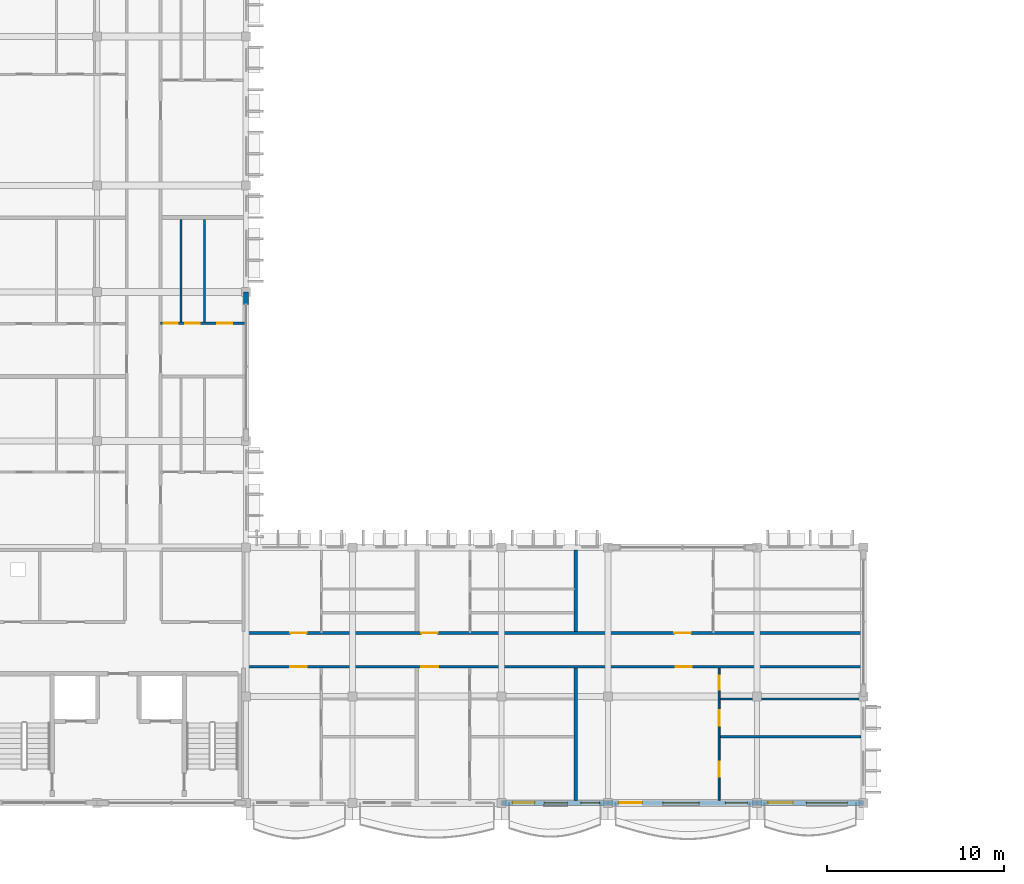
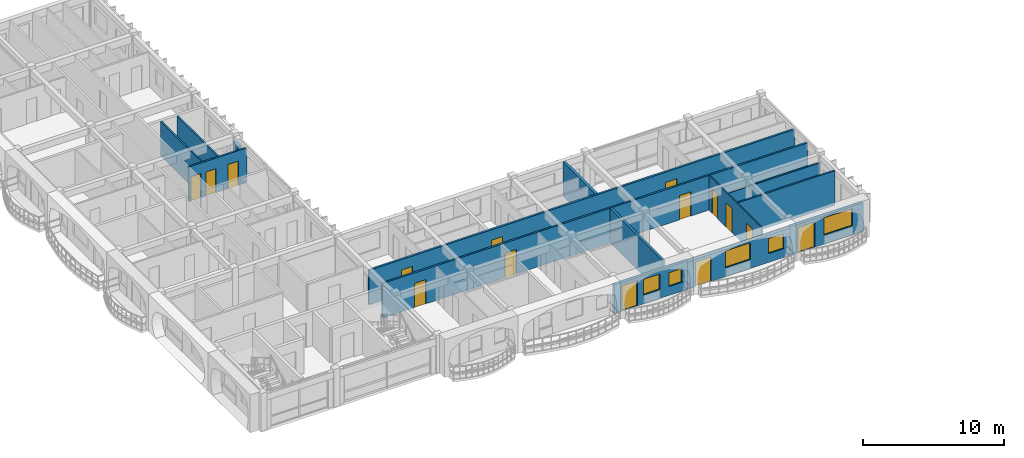
# One storey, part 25 of 68: 15 doors, 14 walls, 5 windows, 20 openings.
"""IFC4 building model written with IfcOpenShell, lengths in metres."""

from ifc_helpers import new_model, si_unit, direction, frame, frame_2d, origin, place, context, subcontext, project, spatial, rectangle, extrude, material, layer, layer_set, type_object, element, fill, save


model = new_model("IFC4")

# Units and contexts
model_context = context("Model", 3, precision=1e-05, world=origin(), true_north=direction((0.0, 1.0)))
body_context = subcontext(model_context, "Body", "Model", "MODEL_VIEW")
ifc_project = project(units=[si_unit("LENGTHUNIT", "METRE"), si_unit("AREAUNIT", "SQUARE_METRE"), si_unit("VOLUMEUNIT", "CUBIC_METRE"), si_unit("PLANEANGLEUNIT", "RADIAN"), si_unit("MASSUNIT", "GRAM", prefix="KILO"), si_unit("THERMODYNAMICTEMPERATUREUNIT", "KELVIN")], contexts=[model_context])

# Site, building, storey
site_placement = place(None, origin())
site = spatial("IfcSite", under=ifc_project, at=site_placement, CompositionType="ELEMENT")
building_placement = place(site_placement, origin())
building = spatial("IfcBuilding", under=site, at=building_placement, Name="Thalorik Housing Commons", CompositionType="ELEMENT")
storey_placement = place(building_placement, frame((0.0, 0.0, 24.60009765625)))
storey = spatial("IfcBuildingStorey", under=building, at=storey_placement, Name="L07", CompositionType="ELEMENT", Elevation=24.60009765625)

# Wall, openings, doors
ifc_material_1 = material(Name="Masonry fire-rated corridor wall", Category="masonry")
ifc_layer_1 = layer(ifc_material_1, 0.14990234375, Name="Masonry fire-rated corridor wall", Category="masonry")
ifc_layer_set_1 = layer_set([ifc_layer_1], Name="Masonry fire-rated corridor wall")
wall_type_1 = type_object("IfcWallType", Name="ARC-WAL-CORR-150", PredefinedType="PARTITIONING", material=ifc_layer_set_1)
wall_1_placement = place(storey_placement, frame((22.659912109375, 16.080078125, 0.0), z_axis=(0.0, 0.0, 1.0), x_axis=(1.0, 0.0, 0.0)))
wall_1 = element("IfcWall", 1, at=wall_1_placement, inside=storey, type_object=wall_type_1, Name="L07 Block C S Corridor Wall 1", PredefinedType="PARTITIONING", context=body_context, shape_type="SweptSolid", body=[
    extrude(rectangle(XDim=34.880126953125, YDim=0.14990234375, at=frame_2d((17.43994140625, 0.0))), origin(), (0.0, 0.0, 1.0), 3.0),
])
opening_1_placement = place(wall_1_placement, frame((2.626708984375, 0.0, 0.0)))
opening_1 = element("IfcOpeningElement", 2, at=opening_1_placement, cuts=wall_1, Name="Opening ID-1884", PredefinedType="OPENING", context=body_context, shape_type="SweptSolid", body=[
    extrude(rectangle(XDim=0.919921875, YDim=2.10009765625, at=frame_2d((0.4599609375, 1.050048828125))), frame((0.0, 0.0849609375, 0.0), z_axis=(0.0, -1.0, 0.0), x_axis=(1.0, 0.0, 0.0)), (0.0, 0.0, 1.0), 0.169921875),
])
opening_2_placement = place(wall_1_placement, frame((10.02001953125, 0.0, 0.0)))
opening_2 = element("IfcOpeningElement", 3, at=opening_2_placement, cuts=wall_1, Name="Opening ID-1885", PredefinedType="OPENING", context=body_context, shape_type="SweptSolid", body=[
    extrude(rectangle(XDim=0.9599609375, YDim=2.1201171875, at=frame_2d((0.47998046875, 1.06005859375))), frame((0.0, 0.0849609375, 0.0), z_axis=(0.0, -1.0, 0.0), x_axis=(1.0, 0.0, 0.0)), (0.0, 0.0, 1.0), 0.169921875),
])
opening_3_placement = place(wall_1_placement, frame((24.354736328125, 0.0, 0.0)))
opening_3 = element("IfcOpeningElement", 4, at=opening_3_placement, cuts=wall_1, Name="Opening ID-1886", PredefinedType="OPENING", context=body_context, shape_type="SweptSolid", body=[
    extrude(rectangle(XDim=0.919921875, YDim=2.10009765625, at=frame_2d((0.4599609375, 1.050048828125))), frame((0.0, 0.0849609375, 0.0), z_axis=(0.0, -1.0, 0.0), x_axis=(1.0, 0.0, 0.0)), (0.0, 0.0, 1.0), 0.169921875),
])
ifc_material_2 = material(Name="Solid core hardwood timber", Category="wood")
door_type_1 = type_object("IfcDoorType", Name="ARC-DR-FD30-920", OperationType="NOTDEFINED", PredefinedType="DOOR", material=ifc_material_2)
door_1_placement = place(opening_1_placement, origin())
door_1 = element("IfcDoor", 5, at=door_1_placement, inside=storey, type_object=door_type_1, Name="L07 Flat CS-1A Entrance Door", OperationType="SINGLE_SWING_LEFT", OverallHeight=2.10009765625, OverallWidth=0.919921875, PredefinedType="DOOR", context=body_context, shape_type="SweptSolid", body=[
    extrude(rectangle(XDim=0.919921875, YDim=2.10009765625, at=frame_2d((0.4599609375, 1.050048828125))), frame((0.0, 0.02490234375, 0.0), z_axis=(0.0, -1.0, 0.0), x_axis=(1.0, 0.0, 0.0)), (0.0, 0.0, 1.0), 0.050048828125),
])
fill(opening_1, door_1)
door_2_placement = place(opening_3_placement, origin())
door_2 = element("IfcDoor", 6, at=door_2_placement, inside=storey, type_object=door_type_1, Name="L07 Flat CS-3A Entrance Door", OperationType="SINGLE_SWING_LEFT", OverallHeight=2.10009765625, OverallWidth=0.919921875, PredefinedType="DOOR", context=body_context, shape_type="SweptSolid", body=[
    extrude(rectangle(XDim=0.919921875, YDim=2.10009765625, at=frame_2d((0.4599609375, 1.050048828125))), frame((0.0, 0.02490234375, 0.0), z_axis=(0.0, -1.0, 0.0), x_axis=(1.0, 0.0, 0.0)), (0.0, 0.0, 1.0), 0.050048828125),
])
fill(opening_3, door_2)
door_type_2 = type_object("IfcDoorType", Name="ARC-DR-FD30-960", OperationType="NOTDEFINED", PredefinedType="DOOR", material=ifc_material_2)
door_3_placement = place(opening_2_placement, origin())
door_3 = element("IfcDoor", 7, at=door_3_placement, inside=storey, type_object=door_type_2, Name="L07 Flat CS-2A Entrance Door", OperationType="SINGLE_SWING_RIGHT", OverallHeight=2.1201171875, OverallWidth=0.9599609375, PredefinedType="DOOR", context=body_context, shape_type="SweptSolid", body=[
    extrude(rectangle(XDim=0.9599609375, YDim=2.1201171875, at=frame_2d((0.47998046875, 1.06005859375))), frame((0.0, 0.02490234375, 0.0), z_axis=(0.0, -1.0, 0.0), x_axis=(1.0, 0.0, 0.0)), (0.0, 0.0, 1.0), 0.050048828125),
])
fill(opening_2, door_3)

ifc_layer_2 = layer(ifc_material_1, 0.1650390625, Name="Masonry fire-rated corridor wall", Category="masonry")
ifc_layer_set_2 = layer_set([ifc_layer_2], Name="Masonry fire-rated corridor wall")
wall_type_2 = type_object("IfcWallType", Name="ARC-WAL-CORR-165", PredefinedType="PARTITIONING", material=ifc_layer_set_2)
wall_2_placement = place(storey_placement, frame((22.659912109375, 17.97998046875, 0.0), z_axis=(0.0, 0.0, 1.0), x_axis=(1.0, 0.0, 0.0)))
wall_2 = element("IfcWall", 8, at=wall_2_placement, inside=storey, type_object=wall_type_2, Name="L07 Block C S Corridor Wall 2", PredefinedType="PARTITIONING", context=body_context, shape_type="SweptSolid", body=[
    extrude(rectangle(XDim=34.880126953125, YDim=0.1650390625, at=frame_2d((17.43994140625, 0.0))), origin(), (0.0, 0.0, 1.0), 3.0),
])
opening_4_placement = place(wall_2_placement, frame((2.63037109375, 0.0, 0.0)))
opening_4 = element("IfcOpeningElement", 9, at=opening_4_placement, cuts=wall_2, Name="Opening ID-1887", PredefinedType="OPENING", context=body_context, shape_type="SweptSolid", body=[
    extrude(rectangle(XDim=0.919921875, YDim=2.10009765625, at=frame_2d((0.4599609375, 1.050048828125))), frame((0.0, 0.092529296875, 0.0), z_axis=(0.0, -1.0, 0.0), x_axis=(1.0, 0.0, 0.0)), (0.0, 0.0, 1.0), 0.18505859375),
])
opening_5_placement = place(wall_2_placement, frame((10.02001953125, 0.0, 0.0)))
opening_5 = element("IfcOpeningElement", 10, at=opening_5_placement, cuts=wall_2, Name="Opening ID-1888", PredefinedType="OPENING", context=body_context, shape_type="SweptSolid", body=[
    extrude(rectangle(XDim=0.919921875, YDim=2.10009765625, at=frame_2d((0.4599609375, 1.050048828125))), frame((0.0, 0.092529296875, 0.0), z_axis=(0.0, -1.0, 0.0), x_axis=(1.0, 0.0, 0.0)), (0.0, 0.0, 1.0), 0.18505859375),
])
opening_6_placement = place(wall_2_placement, frame((24.288818359375, 0.0, 0.0)))
opening_6 = element("IfcOpeningElement", 11, at=opening_6_placement, cuts=wall_2, Name="Opening ID-1889", PredefinedType="OPENING", context=body_context, shape_type="SweptSolid", body=[
    extrude(rectangle(XDim=0.919921875, YDim=2.10009765625, at=frame_2d((0.4599609375, 1.050048828125))), frame((0.0, 0.092529296875, 0.0), z_axis=(0.0, -1.0, 0.0), x_axis=(1.0, 0.0, 0.0)), (0.0, 0.0, 1.0), 0.18505859375),
])
door_4_placement = place(opening_4_placement, origin())
door_4 = element("IfcDoor", 12, at=door_4_placement, inside=storey, type_object=door_type_1, Name="L07 Flat CS-1B Entrance Door", OperationType="SINGLE_SWING_RIGHT", OverallHeight=2.10009765625, OverallWidth=0.919921875, PredefinedType="DOOR", context=body_context, shape_type="SweptSolid", body=[
    extrude(rectangle(XDim=0.919921875, YDim=2.10009765625, at=frame_2d((0.4599609375, 1.050048828125))), frame((0.0, 0.02490234375, 0.0), z_axis=(0.0, -1.0, 0.0), x_axis=(1.0, 0.0, 0.0)), (0.0, 0.0, 1.0), 0.050048828125),
])
fill(opening_4, door_4)
door_5_placement = place(opening_5_placement, origin())
door_5 = element("IfcDoor", 13, at=door_5_placement, inside=storey, type_object=door_type_1, Name="L07 Flat CS-2B Entrance Door", OperationType="SINGLE_SWING_LEFT", OverallHeight=2.10009765625, OverallWidth=0.919921875, PredefinedType="DOOR", context=body_context, shape_type="SweptSolid", body=[
    extrude(rectangle(XDim=0.919921875, YDim=2.10009765625, at=frame_2d((0.4599609375, 1.050048828125))), frame((0.0, 0.02490234375, 0.0), z_axis=(0.0, -1.0, 0.0), x_axis=(1.0, 0.0, 0.0)), (0.0, 0.0, 1.0), 0.050048828125),
])
fill(opening_5, door_5)
door_6_placement = place(opening_6_placement, origin())
door_6 = element("IfcDoor", 14, at=door_6_placement, inside=storey, type_object=door_type_1, Name="L07 Flat CS-3B Entrance Door", OperationType="SINGLE_SWING_RIGHT", OverallHeight=2.10009765625, OverallWidth=0.919921875, PredefinedType="DOOR", context=body_context, shape_type="SweptSolid", body=[
    extrude(rectangle(XDim=0.919921875, YDim=2.10009765625, at=frame_2d((0.4599609375, 1.050048828125))), frame((0.0, 0.02490234375, 0.0), z_axis=(0.0, -1.0, 0.0), x_axis=(1.0, 0.0, 0.0)), (0.0, 0.0, 1.0), 0.050048828125),
])
fill(opening_6, door_6)

# Wall
ifc_material_3 = material(Name="White precast concrete C40/50", Category="concrete")
ifc_layer_3 = layer(ifc_material_3, 0.27490234375, Name="White precast concrete C40/50", Category="concrete")
ifc_layer_set_3 = layer_set([ifc_layer_3], Name="White precast concrete C40/50")
wall_type_3 = type_object("IfcWallType", Name="ARC-WAL-EXT-275", PredefinedType="STANDARD", material=ifc_layer_set_3)
wall_3_placement = place(storey_placement, frame((22.800048828125, 36.5, 0.0), z_axis=(0.0, 0.0, 1.0), x_axis=(0.0, 1.0, 0.0)))
element("IfcWall", 15, at=wall_3_placement, inside=storey, type_object=wall_type_3, Name="L07 Exterior Wall WAL-PIERR-L07-C-1018", PredefinedType="STANDARD", context=body_context, shape_type="SweptSolid", body=[
    extrude(rectangle(XDim=0.699951171875, YDim=0.27490234375, at=frame_2d((0.35009765625, 0.0))), origin(), (0.0, 0.0, 1.0), 2.4248046875),
])

# Wall, openings, door, windows
wall_4_placement = place(storey_placement, frame((37.199951171875, 8.39990234375, 0.0), z_axis=(0.0, 0.0, 1.0), x_axis=(1.0, 0.0, 0.0)))
wall_4 = element("IfcWall", 16, at=wall_4_placement, inside=storey, type_object=wall_type_3, Name="L07 Exterior Wall WAL-EXT-L07-C-1035", PredefinedType="STANDARD", context=body_context, shape_type="SweptSolid", body=[
    extrude(rectangle(XDim=6.0, YDim=0.27490234375, at=frame_2d((3.0, 0.0))), origin(), (0.0, 0.0, 1.0), 2.474853515625),
])
opening_7_placement = place(wall_4_placement, frame((0.6201171875, 0.0, 0.0)))
opening_7 = element("IfcOpeningElement", 17, at=opening_7_placement, cuts=wall_4, Name="Opening ED-0345", PredefinedType="OPENING", context=body_context, shape_type="SweptSolid", body=[
    extrude(rectangle(XDim=1.25, YDim=2.199951171875, at=frame_2d((0.625, 1.10009765625))), frame((0.0, 0.1474609375, 0.0), z_axis=(0.0, -1.0, 0.0), x_axis=(1.0, 0.0, 0.0)), (0.0, 0.0, 1.0), 0.294921875),
])
opening_8_placement = place(wall_4_placement, frame((2.39501953125, 0.0, 0.780029296875)))
opening_8 = element("IfcOpeningElement", 18, at=opening_8_placement, cuts=wall_4, Name="Opening W-48", PredefinedType="OPENING", context=body_context, shape_type="SweptSolid", body=[
    extrude(rectangle(XDim=1.320068359375, YDim=1.35009765625, at=frame_2d((0.66015625, 0.675048828125))), frame((0.0, 0.1474609375, 0.0), z_axis=(0.0, -1.0, 0.0), x_axis=(1.0, 0.0, 0.0)), (0.0, 0.0, 1.0), 0.294921875),
])
opening_9_placement = place(wall_4_placement, frame((4.47509765625, 0.0, 0.780029296875)))
opening_9 = element("IfcOpeningElement", 19, at=opening_9_placement, cuts=wall_4, Name="Opening W-44", PredefinedType="OPENING", context=body_context, shape_type="SweptSolid", body=[
    extrude(rectangle(XDim=1.050048828125, YDim=1.199951171875, at=frame_2d((0.52490234375, 0.60009765625))), frame((0.0, 0.1474609375, 0.0), z_axis=(0.0, -1.0, 0.0), x_axis=(1.0, 0.0, 0.0)), (0.0, 0.0, 1.0), 0.294921875),
])
ifc_material_4 = material(Name="Anodised aluminium and laminated safety glass", Category="aluminium")
door_type_3 = type_object("IfcDoorType", Name="ARC-DR-BAL-1250", OperationType="NOTDEFINED", PredefinedType="DOOR", material=ifc_material_4)
door_7_placement = place(opening_7_placement, frame((1.25, 0.0, 0.0), z_axis=(0.0, 0.0, 1.0), x_axis=(-1.0, 0.0, 0.0)))
door_7 = element("IfcDoor", 20, at=door_7_placement, inside=storey, type_object=door_type_3, Name="L07 Block C Balcony Glazed Door", OperationType="SINGLE_SWING_RIGHT", OverallHeight=2.199951171875, OverallWidth=1.25, PredefinedType="DOOR", context=body_context, shape_type="SweptSolid", body=[
    extrude(rectangle(XDim=1.25, YDim=2.199951171875, at=frame_2d((0.625, 1.10009765625))), frame((0.0, 0.02490234375, 0.0), z_axis=(0.0, -1.0, 0.0), x_axis=(1.0, 0.0, 0.0)), (0.0, 0.0, 1.0), 0.050048828125),
])
fill(opening_7, door_7)
ifc_material_5 = material(Name="Anodised aluminium and solar-control low-E glass", Category="aluminium")
window_type_1 = type_object("IfcWindowType", Name="ARC-WIN-44", PartitioningType="SINGLE_PANEL", PredefinedType="WINDOW", material=ifc_material_5)
window_1_placement = place(opening_9_placement, origin())
window_1 = element("IfcWindow", 21, at=window_1_placement, inside=storey, type_object=window_type_1, Name="L07 Facade Window 1913", OverallHeight=1.199951171875, OverallWidth=1.050048828125, PartitioningType="SINGLE_PANEL", PredefinedType="WINDOW", context=body_context, shape_type="SweptSolid", body=[
    extrude(rectangle(XDim=1.050048828125, YDim=1.199951171875, at=frame_2d((0.52490234375, 0.60009765625))), frame((0.0, 0.030029296875, 0.0), z_axis=(0.0, -1.0, 0.0), x_axis=(1.0, 0.0, 0.0)), (0.0, 0.0, 1.0), 0.06005859375),
])
fill(opening_9, window_1)
window_type_2 = type_object("IfcWindowType", Name="ARC-WIN-48", PartitioningType="SINGLE_PANEL", PredefinedType="WINDOW", material=ifc_material_5)
window_2_placement = place(opening_8_placement, origin())
window_2 = element("IfcWindow", 22, at=window_2_placement, inside=storey, type_object=window_type_2, Name="L07 Facade Window 1912", OverallHeight=1.35009765625, OverallWidth=1.320068359375, PartitioningType="SINGLE_PANEL", PredefinedType="WINDOW", context=body_context, shape_type="SweptSolid", body=[
    extrude(rectangle(XDim=1.320068359375, YDim=1.35009765625, at=frame_2d((0.66015625, 0.675048828125))), frame((0.0, 0.030029296875, 0.0), z_axis=(0.0, -1.0, 0.0), x_axis=(1.0, 0.0, 0.0)), (0.0, 0.0, 1.0), 0.06005859375),
])
fill(opening_8, window_2)

wall_5_placement = place(storey_placement, frame((43.199951171875, 8.39990234375, 0.0), z_axis=(0.0, 0.0, 1.0), x_axis=(1.0, 0.0, 0.0)))
wall_5 = element("IfcWall", 23, at=wall_5_placement, inside=storey, type_object=wall_type_3, Name="L07 Exterior Wall WAL-EXT-L07-C-1036", PredefinedType="STANDARD", context=body_context, shape_type="SweptSolid", body=[
    extrude(rectangle(XDim=8.400146484375, YDim=0.27490234375, at=frame_2d((4.2001953125, 0.0))), origin(), (0.0, 0.0, 1.0), 2.375),
])
opening_10_placement = place(wall_5_placement, frame((0.6201171875, 0.0, 0.0)))
opening_10 = element("IfcOpeningElement", 24, at=opening_10_placement, cuts=wall_5, Name="Opening ED-0346", PredefinedType="OPENING", context=body_context, shape_type="SweptSolid", body=[
    extrude(rectangle(XDim=1.300048828125, YDim=2.14990234375, at=frame_2d((0.64990234375, 1.074951171875))), frame((0.0, 0.1474609375, 0.0), z_axis=(0.0, -1.0, 0.0), x_axis=(1.0, 0.0, 0.0)), (0.0, 0.0, 1.0), 0.294921875),
])
opening_11_placement = place(wall_5_placement, frame((3.097412109375, 0.0, 0.780029296875)))
opening_11 = element("IfcOpeningElement", 25, at=opening_11_placement, cuts=wall_5, Name="Opening W-62", PredefinedType="OPENING", context=body_context, shape_type="SweptSolid", body=[
    extrude(rectangle(XDim=2.0400390625, YDim=1.4599609375, at=frame_2d((1.02001953125, 0.72998046875))), frame((0.0, 0.1474609375, 0.0), z_axis=(0.0, -1.0, 0.0), x_axis=(1.0, 0.0, 0.0)), (0.0, 0.0, 1.0), 0.294921875),
])
opening_12_placement = place(wall_5_placement, frame((6.612548828125, 0.0, 0.780029296875)))
opening_12 = element("IfcOpeningElement", 26, at=opening_12_placement, cuts=wall_5, Name="Opening W-46", PredefinedType="OPENING", context=body_context, shape_type="SweptSolid", body=[
    extrude(rectangle(XDim=1.25, YDim=1.300048828125, at=frame_2d((0.625, 0.64990234375))), frame((0.0, 0.1474609375, 0.0), z_axis=(0.0, -1.0, 0.0), x_axis=(1.0, 0.0, 0.0)), (0.0, 0.0, 1.0), 0.294921875),
])
door_type_4 = type_object("IfcDoorType", Name="ARC-DR-BAL-1300", OperationType="NOTDEFINED", PredefinedType="DOOR", material=ifc_material_4)
door_8_placement = place(opening_10_placement, frame((1.300048828125, 0.0, 0.0), z_axis=(0.0, 0.0, 1.0), x_axis=(-1.0, 0.0, 0.0)))
door_8 = element("IfcDoor", 27, at=door_8_placement, inside=storey, type_object=door_type_4, Name="L07 Block C Balcony Glazed Door", OperationType="SINGLE_SWING_LEFT", OverallHeight=2.14990234375, OverallWidth=1.300048828125, PredefinedType="DOOR", context=body_context, shape_type="SweptSolid", body=[
    extrude(rectangle(XDim=1.300048828125, YDim=2.14990234375, at=frame_2d((0.64990234375, 1.074951171875))), frame((0.0, 0.02490234375, 0.0), z_axis=(0.0, -1.0, 0.0), x_axis=(1.0, 0.0, 0.0)), (0.0, 0.0, 1.0), 0.050048828125),
])
fill(opening_10, door_8)
window_type_3 = type_object("IfcWindowType", Name="ARC-WIN-46", PartitioningType="SINGLE_PANEL", PredefinedType="WINDOW", material=ifc_material_5)
window_3_placement = place(opening_12_placement, origin())
window_3 = element("IfcWindow", 28, at=window_3_placement, inside=storey, type_object=window_type_3, Name="L07 Facade Window 1915", OverallHeight=1.300048828125, OverallWidth=1.25, PartitioningType="SINGLE_PANEL", PredefinedType="WINDOW", context=body_context, shape_type="SweptSolid", body=[
    extrude(rectangle(XDim=1.25, YDim=1.300048828125, at=frame_2d((0.625, 0.64990234375))), frame((0.0, 0.030029296875, 0.0), z_axis=(0.0, -1.0, 0.0), x_axis=(1.0, 0.0, 0.0)), (0.0, 0.0, 1.0), 0.06005859375),
])
fill(opening_12, window_3)
window_type_4 = type_object("IfcWindowType", Name="ARC-WIN-62", PartitioningType="DOUBLE_PANEL_VERTICAL", PredefinedType="WINDOW", material=ifc_material_5)
window_4_placement = place(opening_11_placement, origin())
window_4 = element("IfcWindow", 29, at=window_4_placement, inside=storey, type_object=window_type_4, Name="L07 Facade Window 1914", OverallHeight=1.4599609375, OverallWidth=2.0400390625, PartitioningType="DOUBLE_PANEL_VERTICAL", PredefinedType="WINDOW", context=body_context, shape_type="SweptSolid", body=[
    extrude(rectangle(XDim=2.0400390625, YDim=1.4599609375, at=frame_2d((1.02001953125, 0.72998046875))), frame((0.0, 0.030029296875, 0.0), z_axis=(0.0, -1.0, 0.0), x_axis=(1.0, 0.0, 0.0)), (0.0, 0.0, 1.0), 0.06005859375),
])
fill(opening_11, window_4)

# Wall, openings, door, window
wall_6_placement = place(storey_placement, frame((51.60009765625, 8.39990234375, 0.0), z_axis=(0.0, 0.0, 1.0), x_axis=(1.0, 0.0, 0.0)))
wall_6 = element("IfcWall", 30, at=wall_6_placement, inside=storey, type_object=wall_type_3, Name="L07 Exterior Wall WAL-EXT-L07-C-1037", PredefinedType="STANDARD", context=body_context, shape_type="SweptSolid", body=[
    extrude(rectangle(XDim=6.0, YDim=0.27490234375, at=frame_2d((3.0, 0.0))), origin(), (0.0, 0.0, 1.0), 2.474853515625),
])
opening_13_placement = place(wall_6_placement, frame((0.6201171875, 0.0, 0.0)))
opening_13 = element("IfcOpeningElement", 31, at=opening_13_placement, cuts=wall_6, Name="Opening ED-0347", PredefinedType="OPENING", context=body_context, shape_type="SweptSolid", body=[
    extrude(rectangle(XDim=1.39990234375, YDim=2.199951171875, at=frame_2d((0.699951171875, 1.10009765625))), frame((0.0, 0.1474609375, 0.0), z_axis=(0.0, -1.0, 0.0), x_axis=(1.0, 0.0, 0.0)), (0.0, 0.0, 1.0), 0.294921875),
])
opening_14_placement = place(wall_6_placement, frame((2.780029296875, 0.0, 0.780029296875)))
opening_14 = element("IfcOpeningElement", 32, at=opening_14_placement, cuts=wall_6, Name="Opening W-68", PredefinedType="OPENING", context=body_context, shape_type="SweptSolid", body=[
    extrude(rectangle(XDim=2.320068359375, YDim=1.5, at=frame_2d((1.16015625, 0.75))), frame((0.0, 0.1474609375, 0.0), z_axis=(0.0, -1.0, 0.0), x_axis=(1.0, 0.0, 0.0)), (0.0, 0.0, 1.0), 0.294921875),
])
door_type_5 = type_object("IfcDoorType", Name="ARC-DR-BAL-1400", OperationType="NOTDEFINED", PredefinedType="DOOR", material=ifc_material_4)
door_9_placement = place(opening_13_placement, frame((1.39990234375, 0.0, 0.0), z_axis=(0.0, 0.0, 1.0), x_axis=(-1.0, 0.0, 0.0)))
door_9 = element("IfcDoor", 33, at=door_9_placement, inside=storey, type_object=door_type_5, Name="L07 Block C Balcony Glazed Door", OperationType="SLIDING_TO_LEFT", OverallHeight=2.199951171875, OverallWidth=1.39990234375, PredefinedType="DOOR", context=body_context, shape_type="SweptSolid", body=[
    extrude(rectangle(XDim=1.39990234375, YDim=2.199951171875, at=frame_2d((0.699951171875, 1.10009765625))), frame((0.0, 0.02490234375, 0.0), z_axis=(0.0, -1.0, 0.0), x_axis=(1.0, 0.0, 0.0)), (0.0, 0.0, 1.0), 0.050048828125),
])
fill(opening_13, door_9)
window_type_5 = type_object("IfcWindowType", Name="ARC-WIN-68", PartitioningType="DOUBLE_PANEL_VERTICAL", PredefinedType="WINDOW", material=ifc_material_5)
window_5_placement = place(opening_14_placement, origin())
window_5 = element("IfcWindow", 34, at=window_5_placement, inside=storey, type_object=window_type_5, Name="L07 Facade Window 1916", OverallHeight=1.5, OverallWidth=2.320068359375, PartitioningType="DOUBLE_PANEL_VERTICAL", PredefinedType="WINDOW", context=body_context, shape_type="SweptSolid", body=[
    extrude(rectangle(XDim=2.320068359375, YDim=1.5, at=frame_2d((1.16015625, 0.75))), frame((0.0, 0.030029296875, 0.0), z_axis=(0.0, -1.0, 0.0), x_axis=(1.0, 0.0, 0.0)), (0.0, 0.0, 1.0), 0.06005859375),
])
fill(opening_14, window_5)

# Wall, openings, doors
ifc_material_6 = material(Name="Gypsum light stud partition", Category="masonry")
ifc_layer_4 = layer(ifc_material_6, 0.10009765625, Name="Gypsum light stud partition", Category="masonry")
ifc_layer_set_4 = layer_set([ifc_layer_4], Name="Gypsum light stud partition")
wall_type_4 = type_object("IfcWallType", Name="ARC-WAL-PART-100", PredefinedType="PARTITIONING", material=ifc_layer_set_4)
wall_7_placement = place(storey_placement, frame((49.465087890625, 8.53955078125, 0.0), z_axis=(0.0, 0.0, 1.0), x_axis=(0.0, 1.0, 0.0)))
wall_7 = element("IfcWall", 35, at=wall_7_placement, inside=storey, type_object=wall_type_4, Name="L07 Unit 3 Spine Partition", PredefinedType="PARTITIONING", context=body_context, shape_type="SweptSolid", body=[
    extrude(rectangle(XDim=7.46337890625, YDim=0.10009765625, at=frame_2d((3.731689453125, 0.0))), origin(), (0.0, 0.0, 1.0), 3.0),
])
opening_15_placement = place(wall_7_placement, frame((1.32421875, 0.0, 0.0)))
opening_15 = element("IfcOpeningElement", 36, at=opening_15_placement, cuts=wall_7, Name="Opening ID-1878", PredefinedType="OPENING", context=body_context, shape_type="SweptSolid", body=[
    extrude(rectangle(XDim=0.85009765625, YDim=2.10009765625, at=frame_2d((0.425048828125, 1.050048828125))), frame((0.0, 0.06005859375, 0.0), z_axis=(0.0, -1.0, 0.0), x_axis=(1.0, 0.0, 0.0)), (0.0, 0.0, 1.0), 0.1201171875),
])
opening_16_placement = place(wall_7_placement, frame((4.219970703125, 0.0, 0.0)))
opening_16 = element("IfcOpeningElement", 37, at=opening_16_placement, cuts=wall_7, Name="Opening ID-1879", PredefinedType="OPENING", context=body_context, shape_type="SweptSolid", body=[
    extrude(rectangle(XDim=0.85009765625, YDim=2.10009765625, at=frame_2d((0.425048828125, 1.050048828125))), frame((0.0, 0.06005859375, 0.0), z_axis=(0.0, -1.0, 0.0), x_axis=(1.0, 0.0, 0.0)), (0.0, 0.0, 1.0), 0.1201171875),
])
opening_17_placement = place(wall_7_placement, frame((6.22607421875, 0.0, 0.0)))
opening_17 = element("IfcOpeningElement", 38, at=opening_17_placement, cuts=wall_7, Name="Opening ID-1880", PredefinedType="OPENING", context=body_context, shape_type="SweptSolid", body=[
    extrude(rectangle(XDim=0.800048828125, YDim=2.10009765625, at=frame_2d((0.39990234375, 1.050048828125))), frame((0.0, 0.06005859375, 0.0), z_axis=(0.0, -1.0, 0.0), x_axis=(1.0, 0.0, 0.0)), (0.0, 0.0, 1.0), 0.1201171875),
])
ifc_material_7 = material(Name="Moisture-resistant timber", Category="wood")
door_type_6 = type_object("IfcDoorType", Name="ARC-DR-INT-800", OperationType="NOTDEFINED", PredefinedType="DOOR", material=ifc_material_7)
door_10_placement = place(opening_17_placement, origin())
door_10 = element("IfcDoor", 39, at=door_10_placement, inside=storey, type_object=door_type_6, Name="L07 Flat Bathroom Door", OperationType="SINGLE_SWING_LEFT", OverallHeight=2.10009765625, OverallWidth=0.800048828125, PredefinedType="DOOR", context=body_context, shape_type="SweptSolid", body=[
    extrude(rectangle(XDim=0.800048828125, YDim=2.10009765625, at=frame_2d((0.39990234375, 1.050048828125))), frame((0.0, 0.02490234375, 0.0), z_axis=(0.0, -1.0, 0.0), x_axis=(1.0, 0.0, 0.0)), (0.0, 0.0, 1.0), 0.050048828125),
])
fill(opening_17, door_10)
ifc_material_8 = material(Name="Engineered oak timber", Category="wood")
door_type_7 = type_object("IfcDoorType", Name="ARC-DR-INT-850", OperationType="NOTDEFINED", PredefinedType="DOOR", material=ifc_material_8)
door_11_placement = place(opening_15_placement, origin())
door_11 = element("IfcDoor", 40, at=door_11_placement, inside=storey, type_object=door_type_7, Name="L07 Single Bedroom Door", OperationType="SINGLE_SWING_LEFT", OverallHeight=2.10009765625, OverallWidth=0.85009765625, PredefinedType="DOOR", context=body_context, shape_type="SweptSolid", body=[
    extrude(rectangle(XDim=0.85009765625, YDim=2.10009765625, at=frame_2d((0.425048828125, 1.050048828125))), frame((0.0, 0.02490234375, 0.0), z_axis=(0.0, -1.0, 0.0), x_axis=(1.0, 0.0, 0.0)), (0.0, 0.0, 1.0), 0.050048828125),
])
fill(opening_15, door_11)
door_12_placement = place(opening_16_placement, origin())
door_12 = element("IfcDoor", 41, at=door_12_placement, inside=storey, type_object=door_type_7, Name="L07 Galley Kitchen Door", OperationType="SINGLE_SWING_RIGHT", OverallHeight=2.10009765625, OverallWidth=0.85009765625, PredefinedType="DOOR", context=body_context, shape_type="SweptSolid", body=[
    extrude(rectangle(XDim=0.85009765625, YDim=2.10009765625, at=frame_2d((0.425048828125, 1.050048828125))), frame((0.0, 0.02490234375, 0.0), z_axis=(0.0, -1.0, 0.0), x_axis=(1.0, 0.0, 0.0)), (0.0, 0.0, 1.0), 0.050048828125),
])
fill(opening_16, door_12)

# Walls
ifc_material_9 = material(Name="Gypsum moisture-resistant partition", Category="masonry")
ifc_layer_5 = layer(ifc_material_9, 0.114990234375, Name="Gypsum moisture-resistant partition", Category="masonry")
ifc_layer_set_5 = layer_set([ifc_layer_5], Name="Gypsum moisture-resistant partition")
wall_type_5 = type_object("IfcWallType", Name="ARC-WAL-PART-115", PredefinedType="PARTITIONING", material=ifc_layer_set_5)
wall_8_placement = place(storey_placement, frame((19.122314453125, 35.502685546875, 0.0), z_axis=(0.0, 0.0, 1.0), x_axis=(0.0, 1.0, 0.0)))
element("IfcWall", 42, at=wall_8_placement, inside=storey, type_object=wall_type_5, Name="L07 Unit 2B Wet Wall", PredefinedType="PARTITIONING", context=body_context, shape_type="SweptSolid", body=[
    extrude(rectangle(XDim=5.775390625, YDim=0.114990234375, at=frame_2d((2.8876953125, 0.0))), origin(), (0.0, 0.0, 1.0), 3.0),
])
ifc_material_10 = material(Name="Gypsum acoustic stud partition", Category="masonry")
ifc_layer_6 = layer(ifc_material_10, 0.125, Name="Gypsum acoustic stud partition", Category="masonry")
ifc_layer_set_6 = layer_set([ifc_layer_6], Name="Gypsum acoustic stud partition")
wall_type_6 = type_object("IfcWallType", Name="ARC-WAL-PART-125", PredefinedType="PARTITIONING", material=ifc_layer_set_6)
wall_9_placement = place(storey_placement, frame((20.455078125, 35.502685546875, 0.0), z_axis=(0.0, 0.0, 1.0), x_axis=(0.0, 1.0, 0.0)))
element("IfcWall", 43, at=wall_9_placement, inside=storey, type_object=wall_type_6, Name="L07 Unit 2B Bedroom Partition", PredefinedType="PARTITIONING", context=body_context, shape_type="SweptSolid", body=[
    extrude(rectangle(XDim=5.775390625, YDim=0.125, at=frame_2d((2.8876953125, 0.0))), origin(), (0.0, 0.0, 1.0), 3.0),
])
wall_10_placement = place(storey_placement, frame((49.51708984375, 14.251220703125, 0.0), z_axis=(0.0, 0.0, 1.0), x_axis=(1.0, 0.0, 0.0)))
element("IfcWall", 44, at=wall_10_placement, inside=storey, type_object=wall_type_6, Name="L07 Unit 3 Wet Wall", PredefinedType="PARTITIONING", context=body_context, shape_type="SweptSolid", body=[
    extrude(rectangle(XDim=7.943359375, YDim=0.125, at=frame_2d((3.9716796875, 0.0))), origin(), (0.0, 0.0, 1.0), 2.375),
])

# Wall, openings, doors
ifc_material_11 = material(Name="Ceramic masonry partition wall", Category="masonry")
ifc_layer_7 = layer(ifc_material_11, 0.139892578125, Name="Ceramic masonry partition wall", Category="masonry")
ifc_layer_set_7 = layer_set([ifc_layer_7], Name="Ceramic masonry partition wall")
wall_type_7 = type_object("IfcWallType", Name="ARC-WAL-PART-140", PredefinedType="PARTITIONING", material=ifc_layer_set_7)
wall_11_placement = place(storey_placement, frame((17.97998046875, 35.430908203125, 0.0), z_axis=(0.0, 0.0, 1.0), x_axis=(1.0, 0.0, 0.0)))
wall_11 = element("IfcWall", 45, at=wall_11_placement, inside=storey, type_object=wall_type_7, Name="L07 Unit 2B Spine Partition", PredefinedType="PARTITIONING", context=body_context, shape_type="SweptSolid", body=[
    extrude(rectangle(XDim=4.760009765625, YDim=0.139892578125, at=frame_2d((2.3798828125, 0.0))), origin(), (0.0, 0.0, 1.0), 3.0),
])
opening_18_placement = place(wall_11_placement, frame((0.171142578125, 0.0, 0.0)))
opening_18 = element("IfcOpeningElement", 46, at=opening_18_placement, cuts=wall_11, Name="Opening ID-1851", PredefinedType="OPENING", context=body_context, shape_type="SweptSolid", body=[
    extrude(rectangle(XDim=0.800048828125, YDim=2.10009765625, at=frame_2d((0.39990234375, 1.050048828125))), frame((0.0, 0.080078125, 0.0), z_axis=(0.0, -1.0, 0.0), x_axis=(1.0, 0.0, 0.0)), (0.0, 0.0, 1.0), 0.159912109375),
])
opening_19_placement = place(wall_11_placement, frame((1.3837890625, 0.0, 0.0)))
opening_19 = element("IfcOpeningElement", 47, at=opening_19_placement, cuts=wall_11, Name="Opening ID-1852", PredefinedType="OPENING", context=body_context, shape_type="SweptSolid", body=[
    extrude(rectangle(XDim=0.820068359375, YDim=2.080078125, at=frame_2d((0.41015625, 1.0400390625))), frame((0.0, 0.080078125, 0.0), z_axis=(0.0, -1.0, 0.0), x_axis=(1.0, 0.0, 0.0)), (0.0, 0.0, 1.0), 0.159912109375),
])
opening_20_placement = place(wall_11_placement, frame((3.192626953125, 0.0, 0.0)))
opening_20 = element("IfcOpeningElement", 48, at=opening_20_placement, cuts=wall_11, Name="Opening ID-1853", PredefinedType="OPENING", context=body_context, shape_type="SweptSolid", body=[
    extrude(rectangle(XDim=0.85009765625, YDim=2.10009765625, at=frame_2d((0.425048828125, 1.050048828125))), frame((0.0, 0.080078125, 0.0), z_axis=(0.0, -1.0, 0.0), x_axis=(1.0, 0.0, 0.0)), (0.0, 0.0, 1.0), 0.159912109375),
])
door_13_placement = place(opening_18_placement, origin())
door_13 = element("IfcDoor", 49, at=door_13_placement, inside=storey, type_object=door_type_6, Name="L07 Flat Bathroom Door", OperationType="SINGLE_SWING_RIGHT", OverallHeight=2.10009765625, OverallWidth=0.800048828125, PredefinedType="DOOR", context=body_context, shape_type="SweptSolid", body=[
    extrude(rectangle(XDim=0.800048828125, YDim=2.10009765625, at=frame_2d((0.39990234375, 1.050048828125))), frame((0.0, 0.02490234375, 0.0), z_axis=(0.0, -1.0, 0.0), x_axis=(1.0, 0.0, 0.0)), (0.0, 0.0, 1.0), 0.050048828125),
])
fill(opening_18, door_13)
door_type_8 = type_object("IfcDoorType", Name="ARC-DR-INT-820", OperationType="NOTDEFINED", PredefinedType="DOOR", material=ifc_material_8)
door_14_placement = place(opening_19_placement, origin())
door_14 = element("IfcDoor", 50, at=door_14_placement, inside=storey, type_object=door_type_8, Name="L07 Eat-In Kitchen Door", OperationType="SINGLE_SWING_LEFT", OverallHeight=2.080078125, OverallWidth=0.820068359375, PredefinedType="DOOR", context=body_context, shape_type="SweptSolid", body=[
    extrude(rectangle(XDim=0.820068359375, YDim=2.080078125, at=frame_2d((0.41015625, 1.0400390625))), frame((0.0, 0.02490234375, 0.0), z_axis=(0.0, -1.0, 0.0), x_axis=(1.0, 0.0, 0.0)), (0.0, 0.0, 1.0), 0.050048828125),
])
fill(opening_19, door_14)
door_15_placement = place(opening_20_placement, origin())
door_15 = element("IfcDoor", 51, at=door_15_placement, inside=storey, type_object=door_type_7, Name="L07 Master Bedroom Door", OperationType="SINGLE_SWING_RIGHT", OverallHeight=2.10009765625, OverallWidth=0.85009765625, PredefinedType="DOOR", context=body_context, shape_type="SweptSolid", body=[
    extrude(rectangle(XDim=0.85009765625, YDim=2.10009765625, at=frame_2d((0.425048828125, 1.050048828125))), frame((0.0, 0.02490234375, 0.0), z_axis=(0.0, -1.0, 0.0), x_axis=(1.0, 0.0, 0.0)), (0.0, 0.0, 1.0), 0.050048828125),
])
fill(opening_20, door_15)

# Walls
wall_12_placement = place(storey_placement, frame((49.51708984375, 12.11767578125, 0.0), z_axis=(0.0, 0.0, 1.0), x_axis=(1.0, 0.0, 0.0)))
element("IfcWall", 52, at=wall_12_placement, inside=storey, type_object=wall_type_7, Name="L07 Unit 3 Bedroom Partition", PredefinedType="PARTITIONING", context=body_context, shape_type="SweptSolid", body=[
    extrude(rectangle(XDim=7.943359375, YDim=0.139892578125, at=frame_2d((3.9716796875, 0.0))), origin(), (0.0, 0.0, 1.0), 3.0),
])
ifc_material_12 = material(Name="Masonry acoustic blockwork wall", Category="masonry")
ifc_layer_8 = layer(ifc_material_12, 0.18505859375, Name="Masonry acoustic blockwork wall", Category="masonry")
ifc_layer_set_8 = layer_set([ifc_layer_8], Name="Masonry acoustic blockwork wall")
wall_type_8 = type_object("IfcWallType", Name="ARC-WAL-PARTY-185", PredefinedType="PARTITIONING", material=ifc_layer_set_8)
wall_13_placement = place(storey_placement, frame((41.389892578125, 8.53955078125, 0.0), z_axis=(0.0, 0.0, 1.0), x_axis=(0.0, 1.0, 0.0)))
element("IfcWall", 53, at=wall_13_placement, inside=storey, type_object=wall_type_8, Name="L07 Inter-Tenancy Wall 2A", PredefinedType="PARTITIONING", context=body_context, shape_type="SweptSolid", body=[
    extrude(rectangle(XDim=7.46337890625, YDim=0.18505859375, at=frame_2d((3.731689453125, 0.0))), origin(), (0.0, 0.0, 1.0), 3.0),
])
ifc_material_13 = material(Name="Precast concrete C40/50 acoustic wall", Category="concrete")
ifc_layer_9 = layer(ifc_material_13, 0.199951171875, Name="Precast concrete C40/50 acoustic wall", Category="concrete")
ifc_layer_set_9 = layer_set([ifc_layer_9], Name="Precast concrete C40/50 acoustic wall")
wall_type_9 = type_object("IfcWallType", Name="ARC-WAL-PARTY-200", PredefinedType="PARTITIONING", material=ifc_layer_set_9)
wall_14_placement = place(storey_placement, frame((41.389892578125, 18.064453125, 0.0), z_axis=(0.0, 0.0, 1.0), x_axis=(0.0, 1.0, 0.0)))
element("IfcWall", 54, at=wall_14_placement, inside=storey, type_object=wall_type_9, Name="L07 Inter-Tenancy Wall 2B", PredefinedType="PARTITIONING", context=body_context, shape_type="SweptSolid", body=[
    extrude(rectangle(XDim=4.595947265625, YDim=0.199951171875, at=frame_2d((2.2978515625, 0.0))), origin(), (0.0, 0.0, 1.0), 3.0),
])

save(model, "model.ifc")
